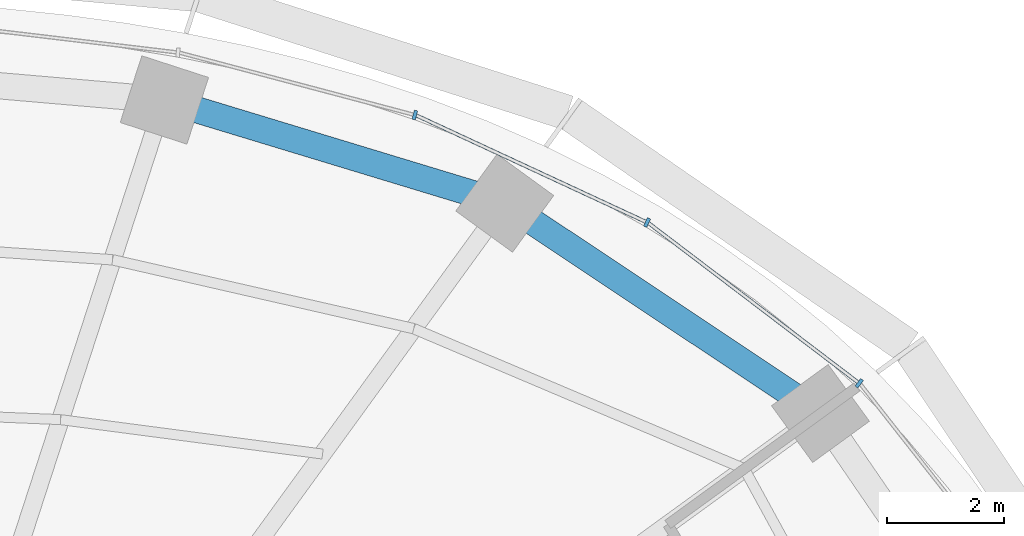
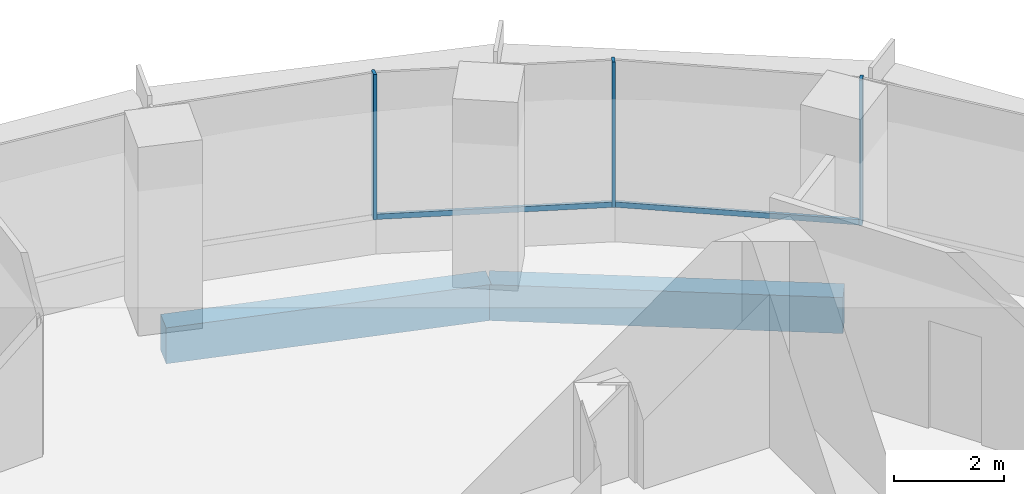
# One storey, part 7 of 13: 5 members, 2 beams, 2 elements without a shape of their own.
"""IFC4 building model written with IfcOpenShell, lengths in metres."""

from ifc_helpers import new_model, si_unit, direction, frame, origin, origin_2d, place, context, subcontext, project, spatial, rectangle, extrude, material, material_profile, profile_set, type_object, element, aggregate, save


model = new_model("IFC4")

# Units and contexts
model_context = context("Model", 3, precision=1e-05, world=origin(), true_north=direction((0.0, 1.0)))
body_context = subcontext(model_context, "Body", "Model", "MODEL_VIEW")
ifc_project = project(units=[si_unit("LENGTHUNIT", "METRE"), si_unit("AREAUNIT", "SQUARE_METRE"), si_unit("VOLUMEUNIT", "CUBIC_METRE"), si_unit("PLANEANGLEUNIT", "RADIAN"), si_unit("MASSUNIT", "GRAM", prefix="KILO")], contexts=[model_context])

# Site, building, storey
site_placement = place(None, origin())
site = spatial("IfcSite", under=ifc_project, at=site_placement, CompositionType="ELEMENT")
building_placement = place(site_placement, origin())
building = spatial("IfcBuilding", under=site, at=building_placement, Name="Marramba Exchange Tower", CompositionType="ELEMENT")
storey_placement = place(building_placement, frame((0.0, 0.0, 256.0)))
storey = spatial("IfcBuildingStorey", under=building, at=storey_placement, Name="L62", CompositionType="ELEMENT", Elevation=256.0)

# Curtain wall, members
ifc_material_1 = material(Name="Aluminium framing, bronze anodised", Category="aluminium")
curtain_wall_type = type_object("IfcCurtainWallType", Name="Executive floor ribbon curtain wall", PredefinedType="USERDEFINED", material=ifc_material_1)
curtain_wall_1_placement = place(storey_placement, origin())
curtain_wall_1 = element("IfcCurtainWall", 1, at=curtain_wall_1_placement, inside=storey, type_object=curtain_wall_type, Name="Curtain wall CW5 L62 F01-F05", ObjectType="RIBBON CURTAIN WALL", PredefinedType="USERDEFINED")
ifc_material_2 = material(Name="Aluminium mullion, bronze anodised", Category="aluminium")
ifc_material_profile_1 = material_profile(ifc_material_2, rectangle(XDim=0.159912109375, YDim=0.06005859375, at=origin_2d()), Name="CW5 mullion 60x160")
ifc_profile_set_1 = profile_set([ifc_material_profile_1], Name="Aluminium mullion, bronze anodised")
member_type_1 = type_object("IfcMemberType", Name="Executive floor ribbon curtain wall mullion", PredefinedType="MULLION", material=ifc_profile_set_1)
member_1_placement = place(storey_placement, frame((17.6494140625, 12.858642578125, 0.800048828125), z_axis=(0.0, 0.0, 1.0), x_axis=(-0.605219156516, -0.796058900199, 0.0)))
member_1 = element("IfcMember", 2, at=member_1_placement, type_object=member_type_1, Name="CW5 mullion 1", PredefinedType="MULLION", context=body_context, shape_type="SweptSolid", body=[
    extrude(rectangle(XDim=0.159912109375, YDim=0.06005859375, at=origin_2d()), origin(), (0.0, 0.0, 1.0), 3.239990234375),
])
member_2_placement = place(storey_placement, frame((14.01806640625, 15.611572265625, 0.800048828125), z_axis=(0.0, 0.0, 1.0), x_axis=(-0.420849274712, -0.90713057934, 0.0)))
member_2 = element("IfcMember", 3, at=member_2_placement, type_object=member_type_1, Name="CW5 mullion 1", PredefinedType="MULLION", context=body_context, shape_type="SweptSolid", body=[
    extrude(rectangle(XDim=0.159912109375, YDim=0.06005859375, at=origin_2d()), origin(), (0.0, 0.0, 1.0), 3.239990234375),
])

# Curtain wall, member
curtain_wall_2_placement = place(storey_placement, origin())
curtain_wall_2 = element("IfcCurtainWall", 4, at=curtain_wall_2_placement, inside=storey, type_object=curtain_wall_type, Name="Curtain wall CW5 L62 F06-F10", ObjectType="RIBBON CURTAIN WALL", PredefinedType="USERDEFINED")
member_3_placement = place(storey_placement, frame((10.04150390625, 17.450439453125, 0.800048828125), z_axis=(0.0, 0.0, 1.0), x_axis=(-0.256125574813, -0.966643517501, 0.0)))
member_3 = element("IfcMember", 5, at=member_3_placement, type_object=member_type_1, Name="CW5 mullion 1", PredefinedType="MULLION", context=body_context, shape_type="SweptSolid", body=[
    extrude(rectangle(XDim=0.159912109375, YDim=0.06005859375, at=origin_2d()), origin(), (0.0, 0.0, 1.0), 3.239990234375),
])
aggregate(curtain_wall_2, [member_3])

# Member
ifc_material_3 = material(Name="Aluminium transom, bronze anodised", Category="aluminium")
ifc_material_profile_2 = material_profile(ifc_material_3, rectangle(XDim=0.06005859375, YDim=0.1201171875, at=origin_2d()), Name="CW5 transom 60x120")
ifc_profile_set_2 = profile_set([ifc_material_profile_2], Name="Aluminium transom, bronze anodised")
member_type_2 = type_object("IfcMemberType", Name="Executive floor ribbon curtain wall transom", PredefinedType="USERDEFINED", material=ifc_profile_set_2)
member_4_placement = place(storey_placement, frame((17.625732421875, 12.876708984375, 0.830078125), z_axis=(-0.796061771764, 0.605215379461, 0.0), x_axis=(-0.605215379461, -0.796061771764, 0.0)))
member_4 = element("IfcMember", 6, at=member_4_placement, type_object=member_type_2, Name="CW5 sill transom", ObjectType="TRANSOM", PredefinedType="USERDEFINED", context=body_context, shape_type="SweptSolid", body=[
    extrude(rectangle(XDim=0.06005859375, YDim=0.1201171875, at=origin_2d()), origin(), (0.0, 0.0, 1.0), 4.497802734375),
])

member_5_placement = place(storey_placement, frame((13.99072265625, 15.6240234375, 0.830078125), z_axis=(-0.907117597316, 0.420877256026, 0.0), x_axis=(-0.420877256026, -0.907117597316, 0.0)))
member_5 = element("IfcMember", 7, at=member_5_placement, type_object=member_type_2, Name="CW5 sill transom", ObjectType="TRANSOM", PredefinedType="USERDEFINED", context=body_context, shape_type="SweptSolid", body=[
    extrude(rectangle(XDim=0.06005859375, YDim=0.1201171875, at=origin_2d()), origin(), (0.0, 0.0, 1.0), 4.321533203125),
])

aggregate(curtain_wall_1, [member_1, member_4, member_2, member_5])

# Beams
ifc_material_4 = material(Name="Concrete N50", Category="concrete")
ifc_material_profile_3 = material_profile(ifc_material_4, rectangle(XDim=0.449951171875, YDim=0.800048828125, at=origin_2d()), Name="RC 450x800")
ifc_profile_set_3 = profile_set([ifc_material_profile_3], Name="Concrete N50")
beam_type = type_object("IfcBeamType", Name="Ring beam RC 450x800 N50", PredefinedType="SPANDREL", material=ifc_profile_set_3)
beam_1_placement = place(storey_placement, frame((16.98583984375, 12.3408203125, -0.56005859375), z_axis=(-0.832293151443, 0.554335737673, 0.0), x_axis=(-0.554335737673, -0.832293151443, 0.0)))
element("IfcBeam", 8, at=beam_1_placement, inside=storey, type_object=beam_type, Name="Ring beam L62 TC03-TC04", PredefinedType="SPANDREL", context=body_context, shape_type="SweptSolid", body=[
    extrude(rectangle(XDim=0.449951171875, YDim=0.800048828125, at=origin_2d()), origin(), (0.0, 0.0, 1.0), 6.49365234375),
])
beam_2_placement = place(storey_placement, frame((11.581298828125, 15.9404296875, -0.56005859375), z_axis=(-0.956924542524, 0.290336735387, 0.0), x_axis=(-0.290336735387, -0.956924542524, 0.0)))
element("IfcBeam", 9, at=beam_2_placement, inside=storey, type_object=beam_type, Name="Ring beam L62 TC04-TC05", PredefinedType="SPANDREL", context=body_context, shape_type="SweptSolid", body=[
    extrude(rectangle(XDim=0.449951171875, YDim=0.800048828125, at=origin_2d()), origin(), (0.0, 0.0, 1.0), 6.089599609375),
])

save(model, "model.ifc")
